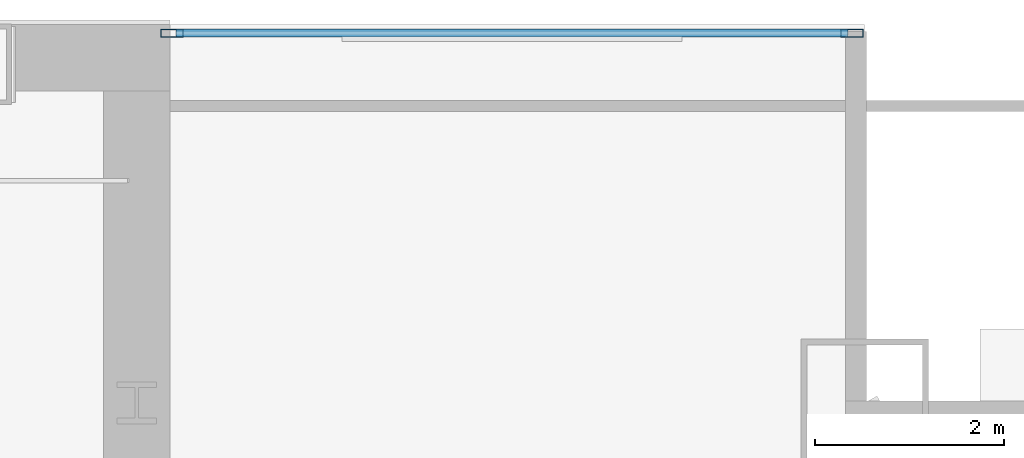
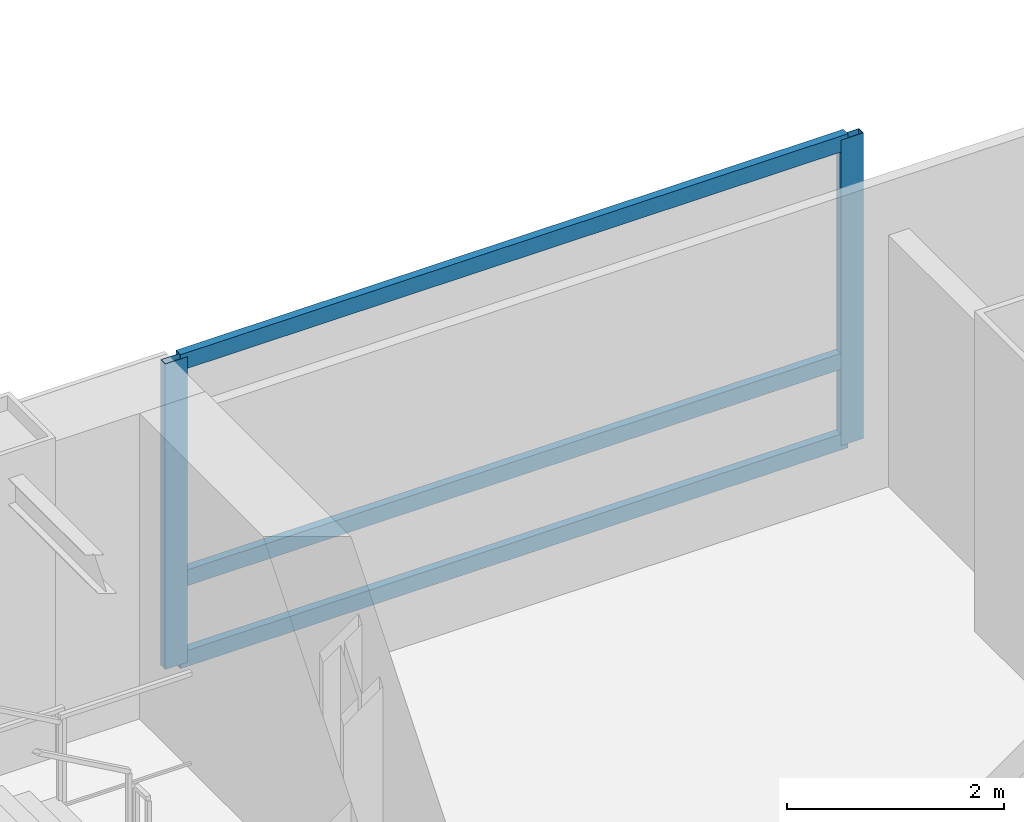
# One storey, part 19 of 30: 5 members, 1 element without a shape of its own.
"""IFC4 building model written with IfcOpenShell, lengths in metres."""

from ifc_helpers import new_model, si_unit, direction, frame, origin, origin_2d, place, context, subcontext, project, spatial, hollow_rectangle, extrude, material, material_profile, profile_set, type_object, element, aggregate, save


model = new_model("IFC4")

# Units and contexts
model_context = context("Model", 3, precision=1e-05, world=origin(), true_north=direction((0.0, 1.0)))
body_context = subcontext(model_context, "Body", "Model", "MODEL_VIEW")
ifc_project = project(units=[si_unit("LENGTHUNIT", "METRE"), si_unit("AREAUNIT", "SQUARE_METRE"), si_unit("VOLUMEUNIT", "CUBIC_METRE"), si_unit("PLANEANGLEUNIT", "RADIAN"), si_unit("MASSUNIT", "GRAM", prefix="KILO")], contexts=[model_context])

# Site, building, storey
site_placement = place(None, origin())
site = spatial("IfcSite", under=ifc_project, at=site_placement, CompositionType="ELEMENT")
building_placement = place(site_placement, origin())
building = spatial("IfcBuilding", under=site, at=building_placement, Name="Khoronbel Lancet Exchange", CompositionType="ELEMENT")
storey_placement = place(building_placement, frame((0.0, 0.0, 136.199951171875)))
storey = spatial("IfcBuildingStorey", under=building, at=storey_placement, Name="L33", CompositionType="ELEMENT", Elevation=136.199951171875)

# Curtain wall, members
ifc_material_1 = material(Name="Low-E Solar Control Insulating Glass", Category="glass")
curtain_wall_type = type_object("IfcCurtainWallType", Name="CW-3", PredefinedType="NOTDEFINED", material=ifc_material_1)
curtain_wall_placement = place(storey_placement, origin())
curtain_wall = element("IfcCurtainWall", 1, at=curtain_wall_placement, inside=storey, type_object=curtain_wall_type, Name="Unitised curtain wall CW-L33-NEFLK", PredefinedType="NOTDEFINED")
ifc_material_2 = material(Name="Bronze-Anodised Aluminium 6063-T6", Category="aluminium")
ifc_material_profile_1 = material_profile(ifc_material_2, hollow_rectangle(XDim=0.0849609375, YDim=0.239990234375, WallThickness=0.006103515625, at=origin_2d()), Name="ALU MULLION 85x240")
ifc_profile_set_1 = profile_set([ifc_material_profile_1], Name="Bronze-Anodised Aluminium 6063-T6")
member_type_1 = type_object("IfcMemberType", Name="MEM-CWM1", PredefinedType="MULLION", material=ifc_profile_set_1)
member_1_placement = place(storey_placement, frame((63.91748046875, 53.610107421875, 0.0), z_axis=(0.0, 0.0, 1.0), x_axis=(0.0, -1.0, 0.0)))
member_1 = element("IfcMember", 2, at=member_1_placement, type_object=member_type_1, Name="CW3 mullion 1", PredefinedType="MULLION", context=body_context, shape_type="SweptSolid", body=[
    extrude(hollow_rectangle(XDim=0.0849609375, YDim=0.239990234375, WallThickness=0.006103515625, at=origin_2d()), origin(), (0.0, 0.0, 1.0), 3.43994140625),
])
member_2_placement = place(storey_placement, frame((56.722412109375, 53.610107421875, 0.0), z_axis=(0.0, 0.0, 1.0), x_axis=(0.0, -1.0, 0.0)))
member_2 = element("IfcMember", 3, at=member_2_placement, type_object=member_type_1, Name="CW3 mullion 2", PredefinedType="MULLION", context=body_context, shape_type="SweptSolid", body=[
    extrude(hollow_rectangle(XDim=0.0849609375, YDim=0.239990234375, WallThickness=0.006103515625, at=origin_2d()), origin(), (0.0, 0.0, 1.0), 3.43994140625),
])
ifc_material_profile_2 = material_profile(ifc_material_2, hollow_rectangle(XDim=0.0849609375, YDim=0.179931640625, WallThickness=0.0048828125, at=origin_2d()), Name="ALU TRANSOM 85x180")
ifc_profile_set_2 = profile_set([ifc_material_profile_2], Name="Bronze-Anodised Aluminium 6063-T6")
member_type_2 = type_object("IfcMemberType", Name="MEM-CWT1", PredefinedType="USERDEFINED", material=ifc_profile_set_2)
member_3_placement = place(storey_placement, frame((63.875, 53.610107421875, 0.04248046875), z_axis=(-1.0, 0.0, 0.0), x_axis=(0.0, -1.0, 0.0)))
member_3 = element("IfcMember", 4, at=member_3_placement, type_object=member_type_2, Name="CW3 transom 1.1", ObjectType="TRANSOM", PredefinedType="USERDEFINED", context=body_context, shape_type="SweptSolid", body=[
    extrude(hollow_rectangle(XDim=0.0849609375, YDim=0.179931640625, WallThickness=0.0048828125, at=origin_2d()), origin(), (0.0, 0.0, 1.0), 7.110107421875),
])
member_4_placement = place(storey_placement, frame((63.875, 53.610107421875, 0.949951171875), z_axis=(-1.0, 0.0, 0.0), x_axis=(0.0, -1.0, 0.0)))
member_4 = element("IfcMember", 5, at=member_4_placement, type_object=member_type_2, Name="CW3 transom 1.2", ObjectType="TRANSOM", PredefinedType="USERDEFINED", context=body_context, shape_type="SweptSolid", body=[
    extrude(hollow_rectangle(XDim=0.0849609375, YDim=0.179931640625, WallThickness=0.0048828125, at=origin_2d()), origin(), (0.0, 0.0, 1.0), 7.110107421875),
])
member_5_placement = place(storey_placement, frame((63.875, 53.610107421875, 3.3974609375), z_axis=(-1.0, 0.0, 0.0), x_axis=(0.0, -1.0, 0.0)))
member_5 = element("IfcMember", 6, at=member_5_placement, type_object=member_type_2, Name="CW3 transom 1.3", ObjectType="TRANSOM", PredefinedType="USERDEFINED", context=body_context, shape_type="SweptSolid", body=[
    extrude(hollow_rectangle(XDim=0.0849609375, YDim=0.179931640625, WallThickness=0.0048828125, at=origin_2d()), origin(), (0.0, 0.0, 1.0), 7.110107421875),
])
aggregate(curtain_wall, [member_1, member_2, member_3, member_4, member_5])

save(model, "model.ifc")
